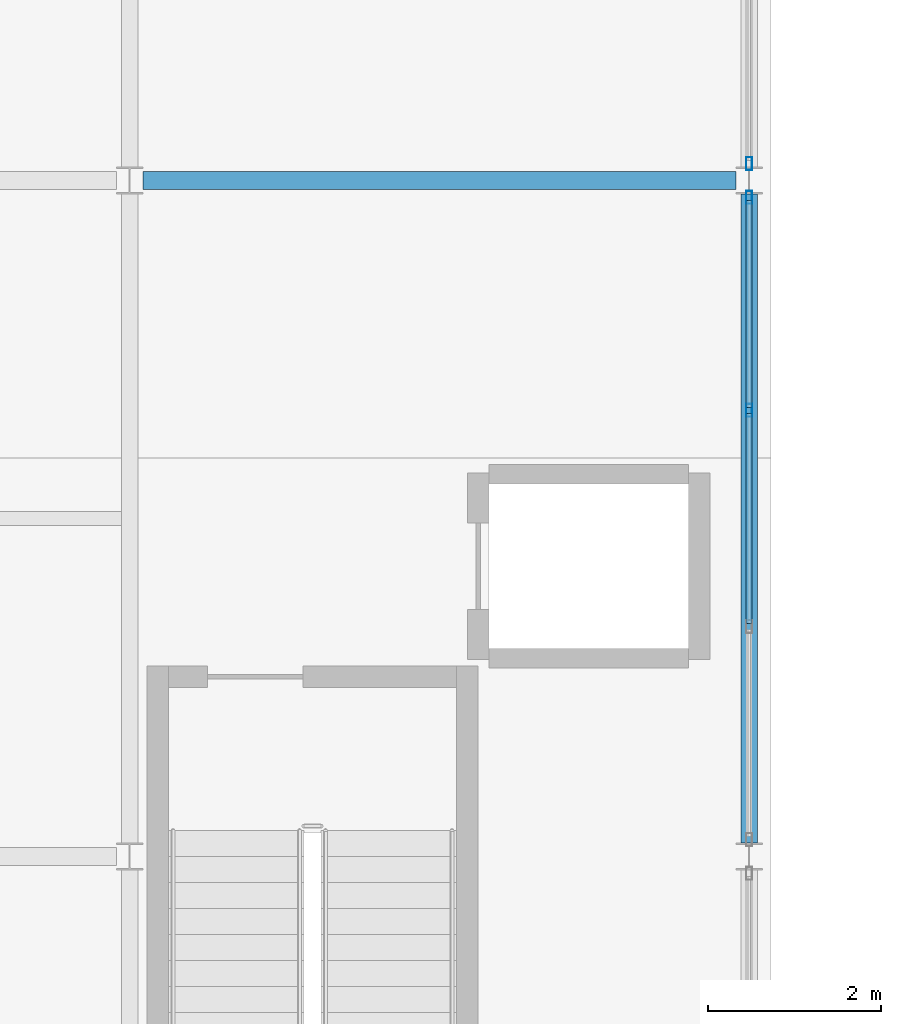
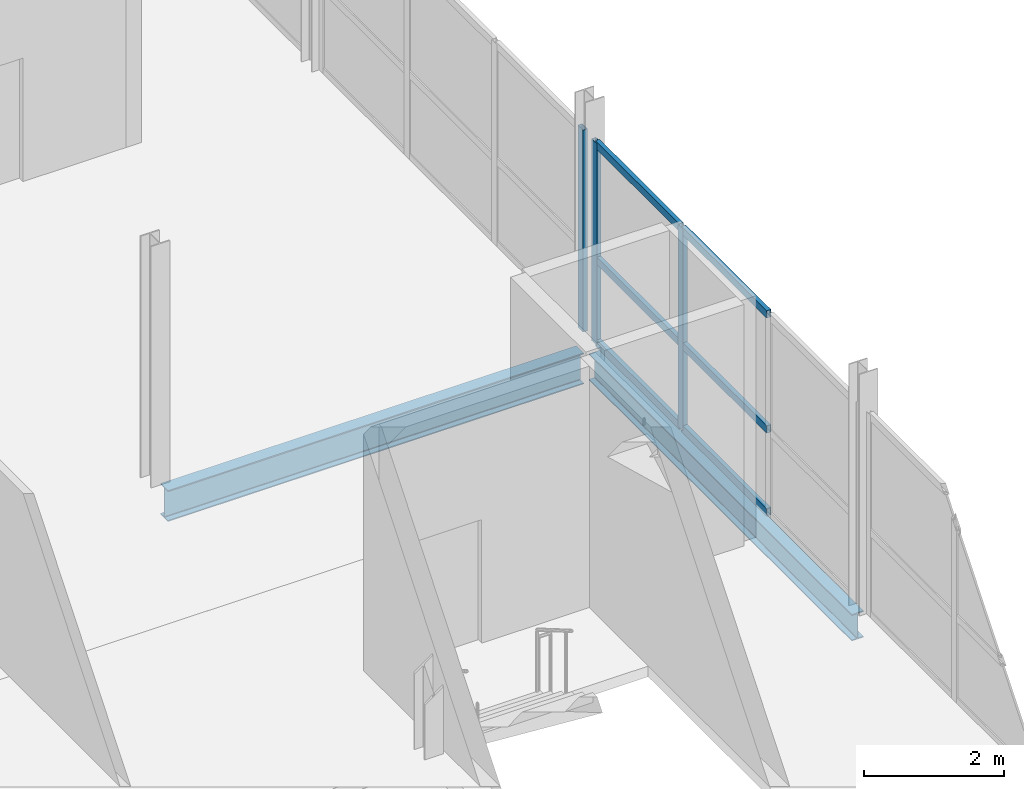
# One storey, part 8 of 65: 9 members, 2 beams, 2 elements without a shape of their own.
"""IFC4 building model written with IfcOpenShell, lengths in metres."""

from ifc_helpers import new_model, si_unit, direction, frame, origin, origin_2d, place, context, subcontext, project, spatial, hollow_rectangle, i_section, extrude, material, layer, layer_set, material_profile, profile_set, type_object, element, aggregate, save


model = new_model("IFC4")

# Units and contexts
model_context = context("Model", 3, precision=1e-05, world=origin(), true_north=direction((0.0, 1.0)))
body_context = subcontext(model_context, "Body", "Model", "MODEL_VIEW")
ifc_project = project(units=[si_unit("LENGTHUNIT", "METRE"), si_unit("AREAUNIT", "SQUARE_METRE"), si_unit("VOLUMEUNIT", "CUBIC_METRE"), si_unit("PLANEANGLEUNIT", "RADIAN"), si_unit("MASSUNIT", "GRAM", prefix="KILO")], contexts=[model_context])

# Site, building, storey
site_placement = place(None, origin())
site = spatial("IfcSite", under=ifc_project, at=site_placement, CompositionType="ELEMENT")
building_placement = place(site_placement, origin())
building = spatial("IfcBuilding", under=site, at=building_placement, Name="Quillay Park Conservatory", CompositionType="ELEMENT")
storey_placement = place(building_placement, frame((0.0, 0.0, 14.10009765625)))
storey = spatial("IfcBuildingStorey", under=building, at=storey_placement, Name="L03", CompositionType="ELEMENT", Elevation=14.10009765625)

# Curtain wall, members
ifc_material_1 = material(Name="Thermally Broken Anodised Aluminium 6063-T6", Category="aluminium")
ifc_layer = layer(ifc_material_1, 0.1650390625)
ifc_layer_set = layer_set([ifc_layer], Name="UNITISED CURTAIN WALL PODIUM (Thermally Broken Anodised Aluminium 6063-T6)")
curtain_wall_type = type_object("IfcCurtainWallType", Name="UNITISED CURTAIN WALL PODIUM", PredefinedType="USERDEFINED", material=ifc_layer_set)
curtain_wall_1_placement = place(storey_placement, origin())
curtain_wall_1 = element("IfcCurtainWall", 1, at=curtain_wall_1_placement, inside=storey, type_object=curtain_wall_type, Name="L03 Unitised Curtain Wall 211", ObjectType="UNITISED CURTAIN WALL", PredefinedType="USERDEFINED")
ifc_material_2 = material(Name="Thermally Broken Anodised Aluminium 6063-T6", Category="aluminium")
ifc_material_profile_1 = material_profile(ifc_material_2, hollow_rectangle(XDim=0.070068359375, YDim=0.14990234375, WallThickness=0.00341796875, at=origin_2d()), Name="AL70x150x3.5")
ifc_profile_set_1 = profile_set([ifc_material_profile_1], Name="Thermally Broken Anodised Aluminium 6063-T6")
member_type_1 = type_object("IfcMemberType", Name="CURTAIN WALL MULLION 70 X150", PredefinedType="MULLION", material=ifc_profile_set_1)
member_1_placement = place(storey_placement, frame((22.14990234375, 31.0048828125, 0.0), z_axis=(0.0, 0.0, 1.0), x_axis=(1.0, 0.0, 0.0)))
member_1 = element("IfcMember", 2, at=member_1_placement, type_object=member_type_1, Name="CW-P1 mullion 1", PredefinedType="MULLION", context=body_context, shape_type="SweptSolid", body=[
    extrude(hollow_rectangle(XDim=0.070068359375, YDim=0.14990234375, WallThickness=0.00341796875, at=origin_2d()), origin(), (0.0, 0.0, 1.0), 3.513916015625),
])
member_2_placement = place(storey_placement, frame((22.14990234375, 28.546630859375, 0.0), z_axis=(0.0, 0.0, 1.0), x_axis=(1.0, 0.0, 0.0)))
member_2 = element("IfcMember", 3, at=member_2_placement, type_object=member_type_1, Name="CW-P1 mullion 2", PredefinedType="MULLION", context=body_context, shape_type="SweptSolid", body=[
    extrude(hollow_rectangle(XDim=0.070068359375, YDim=0.14990234375, WallThickness=0.00341796875, at=origin_2d()), origin(), (0.0, 0.0, 1.0), 3.513916015625),
])

# Curtain wall, member
curtain_wall_2_placement = place(storey_placement, origin())
curtain_wall_2 = element("IfcCurtainWall", 4, at=curtain_wall_2_placement, inside=storey, type_object=curtain_wall_type, Name="L03 Unitised Curtain Wall 212", ObjectType="UNITISED CURTAIN WALL", PredefinedType="USERDEFINED")
member_3_placement = place(storey_placement, frame((22.14990234375, 31.39501953125, 0.0), z_axis=(0.0, 0.0, 1.0), x_axis=(1.0, 0.0, 0.0)))
member_3 = element("IfcMember", 5, at=member_3_placement, type_object=member_type_1, Name="CW-P1 mullion 4", PredefinedType="MULLION", context=body_context, shape_type="SweptSolid", body=[
    extrude(hollow_rectangle(XDim=0.070068359375, YDim=0.14990234375, WallThickness=0.00341796875, at=origin_2d()), origin(), (0.0, 0.0, 1.0), 3.513916015625),
])
aggregate(curtain_wall_2, [member_3])

# Member
ifc_material_3 = material(Name="Thermally Broken Anodised Aluminium 6063-T6", Category="aluminium")
ifc_material_profile_2 = material_profile(ifc_material_3, hollow_rectangle(XDim=0.070068359375, YDim=0.1298828125, WallThickness=0.003173828125, at=origin_2d()), Name="AL70x130x3.2")
ifc_profile_set_2 = profile_set([ifc_material_profile_2], Name="Thermally Broken Anodised Aluminium 6063-T6")
member_type_2 = type_object("IfcMemberType", Name="CURTAIN WALL TRANSOM 70 X130", PredefinedType="USERDEFINED", material=ifc_profile_set_2)
member_4_placement = place(storey_placement, frame((22.14990234375, 30.969970703125, 0.034912109375), z_axis=(0.0, -1.0, 0.0), x_axis=(1.0, 0.0, 0.0)))
member_4 = element("IfcMember", 6, at=member_4_placement, type_object=member_type_2, Name="CW-P1 transom 1.1", ObjectType="TRANSOM", PredefinedType="USERDEFINED", context=body_context, shape_type="SweptSolid", body=[
    extrude(hollow_rectangle(XDim=0.070068359375, YDim=0.1298828125, WallThickness=0.003173828125, at=origin_2d()), origin(), (0.0, 0.0, 1.0), 2.38818359375),
])

member_5_placement = place(storey_placement, frame((22.14990234375, 30.969970703125, 1.475830078125), z_axis=(0.0, -1.0, 0.0), x_axis=(1.0, 0.0, 0.0)))
member_5 = element("IfcMember", 7, at=member_5_placement, type_object=member_type_2, Name="CW-P1 transom 1.2", ObjectType="TRANSOM", PredefinedType="USERDEFINED", context=body_context, shape_type="SweptSolid", body=[
    extrude(hollow_rectangle(XDim=0.070068359375, YDim=0.1298828125, WallThickness=0.003173828125, at=origin_2d()), origin(), (0.0, 0.0, 1.0), 2.38818359375),
])

member_6_placement = place(storey_placement, frame((22.14990234375, 30.969970703125, 3.47900390625), z_axis=(0.0, -1.0, 0.0), x_axis=(1.0, 0.0, 0.0)))
member_6 = element("IfcMember", 8, at=member_6_placement, type_object=member_type_2, Name="CW-P1 transom 1.3", ObjectType="TRANSOM", PredefinedType="USERDEFINED", context=body_context, shape_type="SweptSolid", body=[
    extrude(hollow_rectangle(XDim=0.070068359375, YDim=0.1298828125, WallThickness=0.003173828125, at=origin_2d()), origin(), (0.0, 0.0, 1.0), 2.38818359375),
])

member_7_placement = place(storey_placement, frame((22.14990234375, 28.51171875, 0.034912109375), z_axis=(0.0, -1.0, 0.0), x_axis=(1.0, 0.0, 0.0)))
member_7 = element("IfcMember", 9, at=member_7_placement, type_object=member_type_2, Name="CW-P1 transom 2.1", ObjectType="TRANSOM", PredefinedType="USERDEFINED", context=body_context, shape_type="SweptSolid", body=[
    extrude(hollow_rectangle(XDim=0.070068359375, YDim=0.1298828125, WallThickness=0.003173828125, at=origin_2d()), origin(), (0.0, 0.0, 1.0), 2.42333984375),
])

member_8_placement = place(storey_placement, frame((22.14990234375, 28.51171875, 1.475830078125), z_axis=(0.0, -1.0, 0.0), x_axis=(1.0, 0.0, 0.0)))
member_8 = element("IfcMember", 10, at=member_8_placement, type_object=member_type_2, Name="CW-P1 transom 2.2", ObjectType="TRANSOM", PredefinedType="USERDEFINED", context=body_context, shape_type="SweptSolid", body=[
    extrude(hollow_rectangle(XDim=0.070068359375, YDim=0.1298828125, WallThickness=0.003173828125, at=origin_2d()), origin(), (0.0, 0.0, 1.0), 2.42333984375),
])

member_9_placement = place(storey_placement, frame((22.14990234375, 28.51171875, 3.47900390625), z_axis=(0.0, -1.0, 0.0), x_axis=(1.0, 0.0, 0.0)))
member_9 = element("IfcMember", 11, at=member_9_placement, type_object=member_type_2, Name="CW-P1 transom 2.3", ObjectType="TRANSOM", PredefinedType="USERDEFINED", context=body_context, shape_type="SweptSolid", body=[
    extrude(hollow_rectangle(XDim=0.070068359375, YDim=0.1298828125, WallThickness=0.003173828125, at=origin_2d()), origin(), (0.0, 0.0, 1.0), 2.42333984375),
])

aggregate(curtain_wall_1, [member_1, member_2, member_4, member_5, member_6, member_7, member_8, member_9])

# Beams
ifc_material_4 = material(Name="Steel ASTM A992 Grade 50", Category="steel")
ifc_material_profile_3 = material_profile(ifc_material_4, i_section(OverallWidth=0.19189453125, OverallDepth=0.462890625, WebThickness=0.010498046875, FlangeThickness=0.017578125, FilletRadius=0.012939453125, at=origin_2d()), Name="W460x89")
ifc_profile_set_3 = profile_set([ifc_material_profile_3], Name="Steel ASTM A992 Grade 50")
beam_type_1 = type_object("IfcBeamType", Name="PRIMARY FLOOR GIRDER W460 X89", PredefinedType="BEAM", material=ifc_profile_set_3)
beam_1_placement = place(storey_placement, frame((22.14990234375, 23.556884765625, -0.41650390625), z_axis=(0.0, 1.0, 0.0), x_axis=(-1.0, 0.0, 0.0)))
element("IfcBeam", 12, at=beam_1_placement, inside=storey, type_object=beam_type_1, Name="L03 beam BM-V3Y-1447", PredefinedType="BEAM", context=body_context, shape_type="SweptSolid", body=[
    extrude(i_section(OverallWidth=0.19189453125, OverallDepth=0.462890625, WebThickness=0.010498046875, FlangeThickness=0.017578125, FilletRadius=0.012939453125, at=origin_2d()), origin(), (0.0, 0.0, 1.0), 7.486083984375),
])
ifc_material_5 = material(Name="Steel ASTM A992 Grade 50", Category="steel")
ifc_material_profile_4 = material_profile(ifc_material_5, i_section(OverallWidth=0.2109375, OverallDepth=0.5390625, WebThickness=0.01171875, FlangeThickness=0.018798828125, FilletRadius=0.013916015625, at=origin_2d()), Name="W530x109")
ifc_profile_set_4 = profile_set([ifc_material_profile_4], Name="Steel ASTM A992 Grade 50")
beam_type_2 = type_object("IfcBeamType", Name="PRIMARY FLOOR GIRDER W530 X109", PredefinedType="BEAM", material=ifc_profile_set_4)
beam_2_placement = place(storey_placement, frame((15.153564453125, 31.199951171875, -0.45458984375), z_axis=(1.0, 0.0, 0.0), x_axis=(0.0, 1.0, 0.0)))
element("IfcBeam", 13, at=beam_2_placement, inside=storey, type_object=beam_type_2, Name="L03 beam BM-V3X-1414", PredefinedType="BEAM", context=body_context, shape_type="SweptSolid", body=[
    extrude(i_section(OverallWidth=0.2109375, OverallDepth=0.5390625, WebThickness=0.01171875, FlangeThickness=0.018798828125, FilletRadius=0.013916015625, at=origin_2d()), origin(), (0.0, 0.0, 1.0), 6.843017578125),
])

save(model, "model.ifc")
